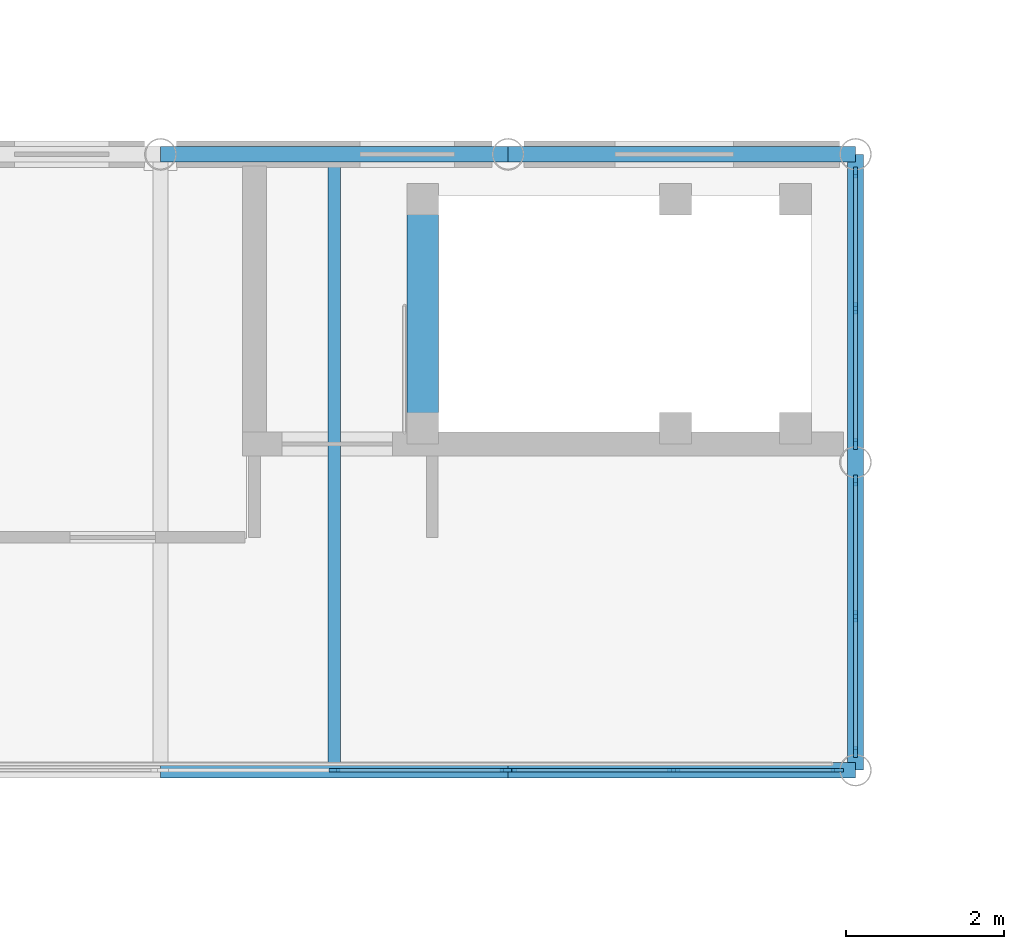
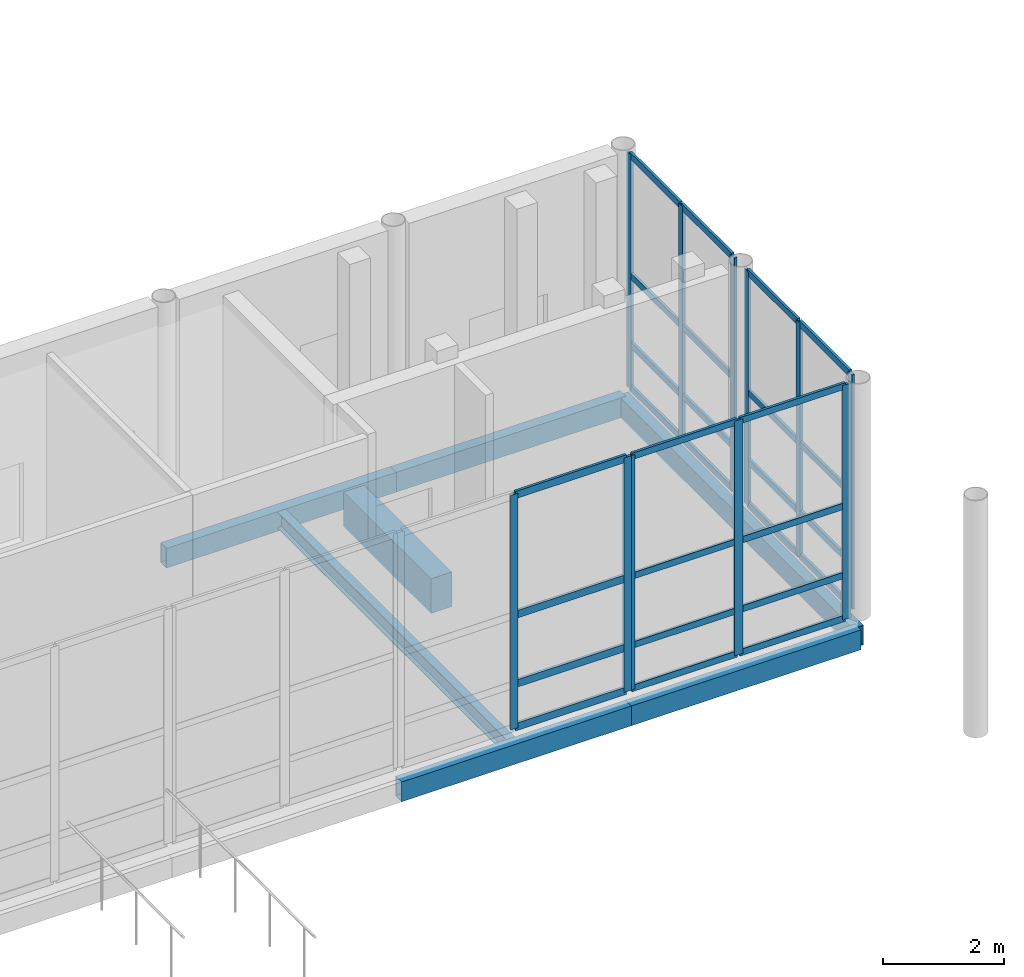
# One storey, part 51 of 138: 39 members, 7 beams, 4 elements without a shape of their own.
"""IFC4 building model written with IfcOpenShell, lengths in metres."""

from ifc_helpers import new_model, si_unit, direction, frame, origin, origin_2d, place, context, subcontext, project, spatial, rectangle, hollow_rectangle, i_section, extrude, material, layer, layer_set, material_profile, profile_set, type_object, element, aggregate, save


model = new_model("IFC4")

# Units and contexts
model_context = context("Model", 3, precision=1e-05, world=origin(), true_north=direction((0.0, 1.0)))
body_context = subcontext(model_context, "Body", "Model", "MODEL_VIEW")
ifc_project = project(units=[si_unit("LENGTHUNIT", "METRE"), si_unit("AREAUNIT", "SQUARE_METRE"), si_unit("VOLUMEUNIT", "CUBIC_METRE"), si_unit("PLANEANGLEUNIT", "RADIAN"), si_unit("MASSUNIT", "GRAM", prefix="KILO")], contexts=[model_context])

# Site, building, storey
site_placement = place(None, origin())
site = spatial("IfcSite", under=ifc_project, at=site_placement, CompositionType="ELEMENT")
building_placement = place(site_placement, origin())
building = spatial("IfcBuilding", under=site, at=building_placement, Name="Celorna Specialist Clinic", CompositionType="ELEMENT")
storey_placement = place(building_placement, frame((0.0, 0.0, 4.800048828125)))
storey = spatial("IfcBuildingStorey", under=building, at=storey_placement, Name="L01", CompositionType="ELEMENT", Elevation=4.800048828125)

# Beams
ifc_material_1 = material(Name="Steel S355", Category="steel")
ifc_material_profile_1 = material_profile(ifc_material_1, i_section(OverallWidth=0.159912109375, OverallDepth=0.330078125, WebThickness=0.007568359375, FlangeThickness=0.011474609375, at=origin_2d()), Name="IPE 330")
ifc_profile_set_1 = profile_set([ifc_material_profile_1], Name="Steel S355")
beam_type_1 = type_object("IfcBeamType", Name="BM-12", PredefinedType="JOIST", material=ifc_profile_set_1)
beam_1_placement = place(storey_placement, frame((96.39990234375, 70.2880859375, -0.425048828125), z_axis=(0.0, 1.0, 0.0), x_axis=(-1.0, 0.0, 0.0)))
element("IfcBeam", 1, at=beam_1_placement, inside=storey, type_object=beam_type_1, Name="Secondary floor joist BM-12 #229", PredefinedType="JOIST", context=body_context, shape_type="SweptSolid", body=[
    extrude(i_section(OverallWidth=0.159912109375, OverallDepth=0.330078125, WebThickness=0.007568359375, FlangeThickness=0.011474609375, at=origin_2d()), origin(), (0.0, 0.0, 1.0), 7.6240234375),
])
ifc_material_profile_2 = material_profile(ifc_material_1, hollow_rectangle(XDim=0.199951171875, YDim=0.39990234375, WallThickness=0.011962890625, at=origin_2d()), Name="RHS 200x400x12")
ifc_profile_set_2 = profile_set([ifc_material_profile_2], Name="Steel S355")
beam_type_2 = type_object("IfcBeamType", Name="BM-15", PredefinedType="SPANDREL", material=ifc_profile_set_2)
beam_2_placement = place(storey_placement, frame((94.199951171875, 70.199951171875, -0.4599609375), z_axis=(1.0, 0.0, 0.0), x_axis=(0.0, 1.0, 0.0)))
element("IfcBeam", 2, at=beam_2_placement, inside=storey, type_object=beam_type_2, Name="Spandrel beam BM-15 #199", PredefinedType="SPANDREL", context=body_context, shape_type="SweptSolid", body=[
    extrude(hollow_rectangle(XDim=0.199951171875, YDim=0.39990234375, WallThickness=0.011962890625, at=origin_2d()), origin(), (0.0, 0.0, 1.0), 4.400146484375),
])
beam_3_placement = place(storey_placement, frame((98.60009765625, 70.199951171875, -0.4599609375), z_axis=(1.0, 0.0, 0.0), x_axis=(0.0, 1.0, 0.0)))
element("IfcBeam", 3, at=beam_3_placement, inside=storey, type_object=beam_type_2, Name="Spandrel beam BM-15 #200", PredefinedType="SPANDREL", context=body_context, shape_type="SweptSolid", body=[
    extrude(hollow_rectangle(XDim=0.199951171875, YDim=0.39990234375, WallThickness=0.011962890625, at=origin_2d()), origin(), (0.0, 0.0, 1.0), 4.39990234375),
])
beam_4_placement = place(storey_placement, frame((94.199951171875, 78.0, -0.4599609375), z_axis=(1.0, 0.0, 0.0), x_axis=(0.0, 1.0, 0.0)))
element("IfcBeam", 4, at=beam_4_placement, inside=storey, type_object=beam_type_2, Name="Spandrel beam BM-15 #210", PredefinedType="SPANDREL", context=body_context, shape_type="SweptSolid", body=[
    extrude(hollow_rectangle(XDim=0.199951171875, YDim=0.39990234375, WallThickness=0.011962890625, at=origin_2d()), origin(), (0.0, 0.0, 1.0), 4.400146484375),
])
beam_5_placement = place(storey_placement, frame((98.60009765625, 78.0, -0.4599609375), z_axis=(1.0, 0.0, 0.0), x_axis=(0.0, 1.0, 0.0)))
element("IfcBeam", 5, at=beam_5_placement, inside=storey, type_object=beam_type_2, Name="Spandrel beam BM-15 #211", PredefinedType="SPANDREL", context=body_context, shape_type="SweptSolid", body=[
    extrude(hollow_rectangle(XDim=0.199951171875, YDim=0.39990234375, WallThickness=0.011962890625, at=origin_2d()), origin(), (0.0, 0.0, 1.0), 4.39990234375),
])
beam_6_placement = place(storey_placement, frame((103.0, 70.199951171875, -0.4599609375), z_axis=(0.0, 1.0, 0.0), x_axis=(-1.0, 0.0, 0.0)))
element("IfcBeam", 6, at=beam_6_placement, inside=storey, type_object=beam_type_2, Name="Spandrel beam BM-15 #221", PredefinedType="SPANDREL", context=body_context, shape_type="SweptSolid", body=[
    extrude(hollow_rectangle(XDim=0.199951171875, YDim=0.39990234375, WallThickness=0.011962890625, at=origin_2d()), origin(), (0.0, 0.0, 1.0), 7.800048828125),
])
ifc_material_2 = material(Name="Concrete C35/45", Category="concrete")
ifc_material_profile_3 = material_profile(ifc_material_2, rectangle(XDim=0.39990234375, YDim=0.699951171875, at=origin_2d()), Name="RC 400x700")
ifc_profile_set_3 = profile_set([ifc_material_profile_3], Name="Concrete C35/45")
beam_type_3 = type_object("IfcBeamType", Name="BM-19", PredefinedType="BEAM", material=ifc_profile_set_3)
beam_7_placement = place(storey_placement, frame((97.52001953125, 74.530029296875, -0.275146484375), z_axis=(0.0, 1.0, 0.0), x_axis=(-1.0, 0.0, 0.0)))
element("IfcBeam", 7, at=beam_7_placement, inside=storey, type_object=beam_type_3, Name="Stair ST-11 floor landing trimmer beam L01", PredefinedType="BEAM", context=body_context, shape_type="SweptSolid", body=[
    extrude(rectangle(XDim=0.39990234375, YDim=0.699951171875, at=origin_2d()), origin(), (0.0, 0.0, 1.0), 2.89990234375),
])

# Curtain wall, members
ifc_material_3 = material(Name="Thermally broken aluminium and solar-control glass curtain wall", Category="aluminium")
ifc_layer_1 = layer(ifc_material_3, 0.159912109375, Name="Thermally broken aluminium and solar-control glass curtain wall")
ifc_layer_set_1 = layer_set([ifc_layer_1], Name="Thermally broken aluminium and solar-control glass curtain wall")
curtain_wall_type_1 = type_object("IfcCurtainWallType", Name="CW-12", PredefinedType="NOTDEFINED", material=ifc_layer_set_1)
curtain_wall_1_placement = place(storey_placement, origin())
curtain_wall_1 = element("IfcCurtainWall", 8, at=curtain_wall_1_placement, inside=storey, type_object=curtain_wall_type_1, Name="Curtain wall CW-12 #36", PredefinedType="NOTDEFINED")
ifc_material_4 = material(Name="Anodized aluminium mullion", Category="aluminium")
ifc_material_profile_4 = material_profile(ifc_material_4, rectangle(XDim=0.050048828125, YDim=0.159912109375, at=origin_2d()), Name="ALU MULLION 50x160")
ifc_profile_set_4 = profile_set([ifc_material_profile_4], Name="Anodized aluminium mullion")
member_type_1 = type_object("IfcMemberType", Name="ML-01", PredefinedType="MULLION", material=ifc_profile_set_4)
member_1_placement = place(storey_placement, frame((102.767822265625, 70.199951171875, 0.0), z_axis=(0.0, 0.0, 1.0), x_axis=(0.0, -1.0, 0.0)))
member_1 = element("IfcMember", 9, at=member_1_placement, type_object=member_type_1, Name="CW-12 mullion 1", PredefinedType="MULLION", context=body_context, shape_type="SweptSolid", body=[
    extrude(rectangle(XDim=0.050048828125, YDim=0.159912109375, at=origin_2d()), origin(), (0.0, 0.0, 1.0), 4.75),
])
member_2_placement = place(storey_placement, frame((100.698486328125, 70.199951171875, 0.0), z_axis=(0.0, 0.0, 1.0), x_axis=(0.0, -1.0, 0.0)))
member_2 = element("IfcMember", 10, at=member_2_placement, type_object=member_type_1, Name="CW-12 mullion 2", PredefinedType="MULLION", context=body_context, shape_type="SweptSolid", body=[
    extrude(rectangle(XDim=0.050048828125, YDim=0.159912109375, at=origin_2d()), origin(), (0.0, 0.0, 1.0), 4.75),
])
member_3_placement = place(storey_placement, frame((98.62890625, 70.199951171875, 0.0), z_axis=(0.0, 0.0, 1.0), x_axis=(0.0, -1.0, 0.0)))
member_3 = element("IfcMember", 11, at=member_3_placement, type_object=member_type_1, Name="CW-12 mullion 3", PredefinedType="MULLION", context=body_context, shape_type="SweptSolid", body=[
    extrude(rectangle(XDim=0.050048828125, YDim=0.159912109375, at=origin_2d()), origin(), (0.0, 0.0, 1.0), 4.75),
])

ifc_layer_2 = layer(ifc_material_3, 0.159912109375, Name="Thermally broken aluminium and solar-control glass curtain wall")
ifc_layer_set_2 = layer_set([ifc_layer_2], Name="Thermally broken aluminium and solar-control glass curtain wall")
curtain_wall_type_2 = type_object("IfcCurtainWallType", Name="CW-11", PredefinedType="NOTDEFINED", material=ifc_layer_set_2)
curtain_wall_2_placement = place(storey_placement, origin())
curtain_wall_2 = element("IfcCurtainWall", 12, at=curtain_wall_2_placement, inside=storey, type_object=curtain_wall_type_2, Name="Curtain wall CW-11 #35", PredefinedType="NOTDEFINED")
ifc_material_profile_5 = material_profile(ifc_material_4, rectangle(XDim=0.050048828125, YDim=0.139892578125, at=origin_2d()), Name="ALU MULLION 50x140")
ifc_profile_set_5 = profile_set([ifc_material_profile_5], Name="Anodized aluminium mullion")
member_type_2 = type_object("IfcMemberType", Name="ML-03", PredefinedType="MULLION", material=ifc_profile_set_5)
member_4_placement = place(storey_placement, frame((98.571044921875, 70.199951171875, 0.0), z_axis=(0.0, 0.0, 1.0), x_axis=(0.0, -1.0, 0.0)))
member_4 = element("IfcMember", 13, at=member_4_placement, type_object=member_type_2, Name="CW-11 mullion 1", PredefinedType="MULLION", context=body_context, shape_type="SweptSolid", body=[
    extrude(rectangle(XDim=0.050048828125, YDim=0.139892578125, at=origin_2d()), origin(), (0.0, 0.0, 1.0), 4.75),
])
member_5_placement = place(storey_placement, frame((96.39990234375, 70.199951171875, 0.0), z_axis=(0.0, 0.0, 1.0), x_axis=(0.0, -1.0, 0.0)))
member_5 = element("IfcMember", 14, at=member_5_placement, type_object=member_type_2, Name="CW-11 mullion 2", PredefinedType="MULLION", context=body_context, shape_type="SweptSolid", body=[
    extrude(rectangle(XDim=0.050048828125, YDim=0.139892578125, at=origin_2d()), origin(), (0.0, 0.0, 1.0), 4.75),
])

ifc_layer_3 = layer(ifc_material_3, 0.159912109375, Name="Thermally broken aluminium and solar-control glass curtain wall")
ifc_layer_set_3 = layer_set([ifc_layer_3], Name="Thermally broken aluminium and solar-control glass curtain wall")
curtain_wall_type_3 = type_object("IfcCurtainWallType", Name="CW-13", PredefinedType="NOTDEFINED", material=ifc_layer_set_3)
curtain_wall_3_placement = place(storey_placement, origin())
curtain_wall_3 = element("IfcCurtainWall", 15, at=curtain_wall_3_placement, inside=storey, type_object=curtain_wall_type_3, Name="Curtain wall CW-13 #39", PredefinedType="NOTDEFINED")
member_6_placement = place(storey_placement, frame((103.0, 77.767822265625, 0.0), z_axis=(0.0, 0.0, 1.0), x_axis=(1.0, 0.0, 0.0)))
member_6 = element("IfcMember", 16, at=member_6_placement, type_object=member_type_2, Name="CW-13 mullion 1", PredefinedType="MULLION", context=body_context, shape_type="SweptSolid", body=[
    extrude(rectangle(XDim=0.050048828125, YDim=0.139892578125, at=origin_2d()), origin(), (0.0, 0.0, 1.0), 4.75),
])
member_7_placement = place(storey_placement, frame((103.0, 76.050048828125, 0.0), z_axis=(0.0, 0.0, 1.0), x_axis=(1.0, 0.0, 0.0)))
member_7 = element("IfcMember", 17, at=member_7_placement, type_object=member_type_2, Name="CW-13 mullion 2", PredefinedType="MULLION", context=body_context, shape_type="SweptSolid", body=[
    extrude(rectangle(XDim=0.050048828125, YDim=0.139892578125, at=origin_2d()), origin(), (0.0, 0.0, 1.0), 4.75),
])
member_8_placement = place(storey_placement, frame((103.0, 74.332275390625, 0.0), z_axis=(0.0, 0.0, 1.0), x_axis=(1.0, 0.0, 0.0)))
member_8 = element("IfcMember", 18, at=member_8_placement, type_object=member_type_2, Name="CW-13 mullion 3", PredefinedType="MULLION", context=body_context, shape_type="SweptSolid", body=[
    extrude(rectangle(XDim=0.050048828125, YDim=0.139892578125, at=origin_2d()), origin(), (0.0, 0.0, 1.0), 4.75),
])

curtain_wall_4_placement = place(storey_placement, origin())
curtain_wall_4 = element("IfcCurtainWall", 19, at=curtain_wall_4_placement, inside=storey, type_object=curtain_wall_type_3, Name="Curtain wall CW-13 #40", PredefinedType="NOTDEFINED")
member_9_placement = place(storey_placement, frame((103.0, 73.867919921875, 0.0), z_axis=(0.0, 0.0, 1.0), x_axis=(1.0, 0.0, 0.0)))
member_9 = element("IfcMember", 20, at=member_9_placement, type_object=member_type_2, Name="CW-13 mullion 1", PredefinedType="MULLION", context=body_context, shape_type="SweptSolid", body=[
    extrude(rectangle(XDim=0.050048828125, YDim=0.139892578125, at=origin_2d()), origin(), (0.0, 0.0, 1.0), 4.75),
])
member_10_placement = place(storey_placement, frame((103.0, 72.14990234375, 0.0), z_axis=(0.0, 0.0, 1.0), x_axis=(1.0, 0.0, 0.0)))
member_10 = element("IfcMember", 21, at=member_10_placement, type_object=member_type_2, Name="CW-13 mullion 2", PredefinedType="MULLION", context=body_context, shape_type="SweptSolid", body=[
    extrude(rectangle(XDim=0.050048828125, YDim=0.139892578125, at=origin_2d()), origin(), (0.0, 0.0, 1.0), 4.75),
])
member_11_placement = place(storey_placement, frame((103.0, 70.43212890625, 0.0), z_axis=(0.0, 0.0, 1.0), x_axis=(1.0, 0.0, 0.0)))
member_11 = element("IfcMember", 22, at=member_11_placement, type_object=member_type_2, Name="CW-13 mullion 3", PredefinedType="MULLION", context=body_context, shape_type="SweptSolid", body=[
    extrude(rectangle(XDim=0.050048828125, YDim=0.139892578125, at=origin_2d()), origin(), (0.0, 0.0, 1.0), 4.75),
])

# Member
ifc_material_5 = material(Name="Anodized aluminium transom", Category="aluminium")
ifc_material_profile_6 = material_profile(ifc_material_5, rectangle(XDim=0.050048828125, YDim=0.1298828125, at=origin_2d()), Name="ALU TRANSOM 50x130")
ifc_profile_set_6 = profile_set([ifc_material_profile_6], Name="Anodized aluminium transom")
member_type_3 = type_object("IfcMemberType", Name="TR-01", PredefinedType="USERDEFINED", material=ifc_profile_set_6)
member_12_placement = place(storey_placement, frame((102.742919921875, 70.199951171875, 0.02490234375), z_axis=(-1.0, 0.0, 0.0), x_axis=(0.0, -1.0, 0.0)))
member_12 = element("IfcMember", 23, at=member_12_placement, type_object=member_type_3, Name="CW-12 transom 1.1", ObjectType="TRANSOM", PredefinedType="USERDEFINED", context=body_context, shape_type="SweptSolid", body=[
    extrude(rectangle(XDim=0.050048828125, YDim=0.1298828125, at=origin_2d()), origin(), (0.0, 0.0, 1.0), 2.01953125),
])

member_13_placement = place(storey_placement, frame((102.742919921875, 70.199951171875, 0.89990234375), z_axis=(-1.0, 0.0, 0.0), x_axis=(0.0, -1.0, 0.0)))
member_13 = element("IfcMember", 24, at=member_13_placement, type_object=member_type_3, Name="CW-12 transom 1.2", ObjectType="TRANSOM", PredefinedType="USERDEFINED", context=body_context, shape_type="SweptSolid", body=[
    extrude(rectangle(XDim=0.050048828125, YDim=0.1298828125, at=origin_2d()), origin(), (0.0, 0.0, 1.0), 2.01953125),
])

member_14_placement = place(storey_placement, frame((102.742919921875, 70.199951171875, 2.300048828125), z_axis=(-1.0, 0.0, 0.0), x_axis=(0.0, -1.0, 0.0)))
member_14 = element("IfcMember", 25, at=member_14_placement, type_object=member_type_3, Name="CW-12 transom 1.3", ObjectType="TRANSOM", PredefinedType="USERDEFINED", context=body_context, shape_type="SweptSolid", body=[
    extrude(rectangle(XDim=0.050048828125, YDim=0.1298828125, at=origin_2d()), origin(), (0.0, 0.0, 1.0), 2.01953125),
])

member_15_placement = place(storey_placement, frame((102.742919921875, 70.199951171875, 4.724853515625), z_axis=(-1.0, 0.0, 0.0), x_axis=(0.0, -1.0, 0.0)))
member_15 = element("IfcMember", 26, at=member_15_placement, type_object=member_type_3, Name="CW-12 transom 1.4", ObjectType="TRANSOM", PredefinedType="USERDEFINED", context=body_context, shape_type="SweptSolid", body=[
    extrude(rectangle(XDim=0.050048828125, YDim=0.1298828125, at=origin_2d()), origin(), (0.0, 0.0, 1.0), 2.01953125),
])

member_16_placement = place(storey_placement, frame((100.67333984375, 70.199951171875, 0.02490234375), z_axis=(-1.0, 0.0, 0.0), x_axis=(0.0, -1.0, 0.0)))
member_16 = element("IfcMember", 27, at=member_16_placement, type_object=member_type_3, Name="CW-12 transom 2.1", ObjectType="TRANSOM", PredefinedType="USERDEFINED", context=body_context, shape_type="SweptSolid", body=[
    extrude(rectangle(XDim=0.050048828125, YDim=0.1298828125, at=origin_2d()), origin(), (0.0, 0.0, 1.0), 2.019287109375),
])

member_17_placement = place(storey_placement, frame((100.67333984375, 70.199951171875, 0.89990234375), z_axis=(-1.0, 0.0, 0.0), x_axis=(0.0, -1.0, 0.0)))
member_17 = element("IfcMember", 28, at=member_17_placement, type_object=member_type_3, Name="CW-12 transom 2.2", ObjectType="TRANSOM", PredefinedType="USERDEFINED", context=body_context, shape_type="SweptSolid", body=[
    extrude(rectangle(XDim=0.050048828125, YDim=0.1298828125, at=origin_2d()), origin(), (0.0, 0.0, 1.0), 2.019287109375),
])

member_18_placement = place(storey_placement, frame((100.67333984375, 70.199951171875, 2.300048828125), z_axis=(-1.0, 0.0, 0.0), x_axis=(0.0, -1.0, 0.0)))
member_18 = element("IfcMember", 29, at=member_18_placement, type_object=member_type_3, Name="CW-12 transom 2.3", ObjectType="TRANSOM", PredefinedType="USERDEFINED", context=body_context, shape_type="SweptSolid", body=[
    extrude(rectangle(XDim=0.050048828125, YDim=0.1298828125, at=origin_2d()), origin(), (0.0, 0.0, 1.0), 2.019287109375),
])

member_19_placement = place(storey_placement, frame((100.67333984375, 70.199951171875, 4.724853515625), z_axis=(-1.0, 0.0, 0.0), x_axis=(0.0, -1.0, 0.0)))
member_19 = element("IfcMember", 30, at=member_19_placement, type_object=member_type_3, Name="CW-12 transom 2.4", ObjectType="TRANSOM", PredefinedType="USERDEFINED", context=body_context, shape_type="SweptSolid", body=[
    extrude(rectangle(XDim=0.050048828125, YDim=0.1298828125, at=origin_2d()), origin(), (0.0, 0.0, 1.0), 2.019287109375),
])

aggregate(curtain_wall_1, [member_1, member_2, member_3, member_12, member_13, member_14, member_15, member_16, member_17, member_18, member_19])

member_20_placement = place(storey_placement, frame((103.0, 77.742919921875, 0.02490234375), z_axis=(0.0, -1.0, 0.0), x_axis=(1.0, 0.0, 0.0)))
member_20 = element("IfcMember", 31, at=member_20_placement, type_object=member_type_3, Name="CW-13 transom 1.1", ObjectType="TRANSOM", PredefinedType="USERDEFINED", context=body_context, shape_type="SweptSolid", body=[
    extrude(rectangle(XDim=0.050048828125, YDim=0.1298828125, at=origin_2d()), origin(), (0.0, 0.0, 1.0), 1.66796875),
])

member_21_placement = place(storey_placement, frame((103.0, 77.742919921875, 0.89990234375), z_axis=(0.0, -1.0, 0.0), x_axis=(1.0, 0.0, 0.0)))
member_21 = element("IfcMember", 32, at=member_21_placement, type_object=member_type_3, Name="CW-13 transom 1.2", ObjectType="TRANSOM", PredefinedType="USERDEFINED", context=body_context, shape_type="SweptSolid", body=[
    extrude(rectangle(XDim=0.050048828125, YDim=0.1298828125, at=origin_2d()), origin(), (0.0, 0.0, 1.0), 1.66796875),
])

member_22_placement = place(storey_placement, frame((103.0, 77.742919921875, 2.300048828125), z_axis=(0.0, -1.0, 0.0), x_axis=(1.0, 0.0, 0.0)))
member_22 = element("IfcMember", 33, at=member_22_placement, type_object=member_type_3, Name="CW-13 transom 1.3", ObjectType="TRANSOM", PredefinedType="USERDEFINED", context=body_context, shape_type="SweptSolid", body=[
    extrude(rectangle(XDim=0.050048828125, YDim=0.1298828125, at=origin_2d()), origin(), (0.0, 0.0, 1.0), 1.66796875),
])

member_23_placement = place(storey_placement, frame((103.0, 77.742919921875, 4.724853515625), z_axis=(0.0, -1.0, 0.0), x_axis=(1.0, 0.0, 0.0)))
member_23 = element("IfcMember", 34, at=member_23_placement, type_object=member_type_3, Name="CW-13 transom 1.4", ObjectType="TRANSOM", PredefinedType="USERDEFINED", context=body_context, shape_type="SweptSolid", body=[
    extrude(rectangle(XDim=0.050048828125, YDim=0.1298828125, at=origin_2d()), origin(), (0.0, 0.0, 1.0), 1.66796875),
])

member_24_placement = place(storey_placement, frame((103.0, 76.02490234375, 0.02490234375), z_axis=(0.0, -1.0, 0.0), x_axis=(1.0, 0.0, 0.0)))
member_24 = element("IfcMember", 35, at=member_24_placement, type_object=member_type_3, Name="CW-13 transom 2.1", ObjectType="TRANSOM", PredefinedType="USERDEFINED", context=body_context, shape_type="SweptSolid", body=[
    extrude(rectangle(XDim=0.050048828125, YDim=0.1298828125, at=origin_2d()), origin(), (0.0, 0.0, 1.0), 1.667724609375),
])

member_25_placement = place(storey_placement, frame((103.0, 76.02490234375, 0.89990234375), z_axis=(0.0, -1.0, 0.0), x_axis=(1.0, 0.0, 0.0)))
member_25 = element("IfcMember", 36, at=member_25_placement, type_object=member_type_3, Name="CW-13 transom 2.2", ObjectType="TRANSOM", PredefinedType="USERDEFINED", context=body_context, shape_type="SweptSolid", body=[
    extrude(rectangle(XDim=0.050048828125, YDim=0.1298828125, at=origin_2d()), origin(), (0.0, 0.0, 1.0), 1.667724609375),
])

member_26_placement = place(storey_placement, frame((103.0, 76.02490234375, 2.300048828125), z_axis=(0.0, -1.0, 0.0), x_axis=(1.0, 0.0, 0.0)))
member_26 = element("IfcMember", 37, at=member_26_placement, type_object=member_type_3, Name="CW-13 transom 2.3", ObjectType="TRANSOM", PredefinedType="USERDEFINED", context=body_context, shape_type="SweptSolid", body=[
    extrude(rectangle(XDim=0.050048828125, YDim=0.1298828125, at=origin_2d()), origin(), (0.0, 0.0, 1.0), 1.667724609375),
])

member_27_placement = place(storey_placement, frame((103.0, 76.02490234375, 4.724853515625), z_axis=(0.0, -1.0, 0.0), x_axis=(1.0, 0.0, 0.0)))
member_27 = element("IfcMember", 38, at=member_27_placement, type_object=member_type_3, Name="CW-13 transom 2.4", ObjectType="TRANSOM", PredefinedType="USERDEFINED", context=body_context, shape_type="SweptSolid", body=[
    extrude(rectangle(XDim=0.050048828125, YDim=0.1298828125, at=origin_2d()), origin(), (0.0, 0.0, 1.0), 1.667724609375),
])

aggregate(curtain_wall_3, [member_6, member_7, member_8, member_20, member_21, member_22, member_23, member_24, member_25, member_26, member_27])

member_28_placement = place(storey_placement, frame((103.0, 73.8427734375, 0.02490234375), z_axis=(0.0, -1.0, 0.0), x_axis=(1.0, 0.0, 0.0)))
member_28 = element("IfcMember", 39, at=member_28_placement, type_object=member_type_3, Name="CW-13 transom 1.1", ObjectType="TRANSOM", PredefinedType="USERDEFINED", context=body_context, shape_type="SweptSolid", body=[
    extrude(rectangle(XDim=0.050048828125, YDim=0.1298828125, at=origin_2d()), origin(), (0.0, 0.0, 1.0), 1.667724609375),
])

member_29_placement = place(storey_placement, frame((103.0, 73.8427734375, 0.89990234375), z_axis=(0.0, -1.0, 0.0), x_axis=(1.0, 0.0, 0.0)))
member_29 = element("IfcMember", 40, at=member_29_placement, type_object=member_type_3, Name="CW-13 transom 1.2", ObjectType="TRANSOM", PredefinedType="USERDEFINED", context=body_context, shape_type="SweptSolid", body=[
    extrude(rectangle(XDim=0.050048828125, YDim=0.1298828125, at=origin_2d()), origin(), (0.0, 0.0, 1.0), 1.667724609375),
])

member_30_placement = place(storey_placement, frame((103.0, 73.8427734375, 2.300048828125), z_axis=(0.0, -1.0, 0.0), x_axis=(1.0, 0.0, 0.0)))
member_30 = element("IfcMember", 41, at=member_30_placement, type_object=member_type_3, Name="CW-13 transom 1.3", ObjectType="TRANSOM", PredefinedType="USERDEFINED", context=body_context, shape_type="SweptSolid", body=[
    extrude(rectangle(XDim=0.050048828125, YDim=0.1298828125, at=origin_2d()), origin(), (0.0, 0.0, 1.0), 1.667724609375),
])

member_31_placement = place(storey_placement, frame((103.0, 73.8427734375, 4.724853515625), z_axis=(0.0, -1.0, 0.0), x_axis=(1.0, 0.0, 0.0)))
member_31 = element("IfcMember", 42, at=member_31_placement, type_object=member_type_3, Name="CW-13 transom 1.4", ObjectType="TRANSOM", PredefinedType="USERDEFINED", context=body_context, shape_type="SweptSolid", body=[
    extrude(rectangle(XDim=0.050048828125, YDim=0.1298828125, at=origin_2d()), origin(), (0.0, 0.0, 1.0), 1.667724609375),
])

member_32_placement = place(storey_placement, frame((103.0, 72.125, 0.02490234375), z_axis=(0.0, -1.0, 0.0), x_axis=(1.0, 0.0, 0.0)))
member_32 = element("IfcMember", 43, at=member_32_placement, type_object=member_type_3, Name="CW-13 transom 2.1", ObjectType="TRANSOM", PredefinedType="USERDEFINED", context=body_context, shape_type="SweptSolid", body=[
    extrude(rectangle(XDim=0.050048828125, YDim=0.1298828125, at=origin_2d()), origin(), (0.0, 0.0, 1.0), 1.667724609375),
])

member_33_placement = place(storey_placement, frame((103.0, 72.125, 0.89990234375), z_axis=(0.0, -1.0, 0.0), x_axis=(1.0, 0.0, 0.0)))
member_33 = element("IfcMember", 44, at=member_33_placement, type_object=member_type_3, Name="CW-13 transom 2.2", ObjectType="TRANSOM", PredefinedType="USERDEFINED", context=body_context, shape_type="SweptSolid", body=[
    extrude(rectangle(XDim=0.050048828125, YDim=0.1298828125, at=origin_2d()), origin(), (0.0, 0.0, 1.0), 1.667724609375),
])

member_34_placement = place(storey_placement, frame((103.0, 72.125, 2.300048828125), z_axis=(0.0, -1.0, 0.0), x_axis=(1.0, 0.0, 0.0)))
member_34 = element("IfcMember", 45, at=member_34_placement, type_object=member_type_3, Name="CW-13 transom 2.3", ObjectType="TRANSOM", PredefinedType="USERDEFINED", context=body_context, shape_type="SweptSolid", body=[
    extrude(rectangle(XDim=0.050048828125, YDim=0.1298828125, at=origin_2d()), origin(), (0.0, 0.0, 1.0), 1.667724609375),
])

member_35_placement = place(storey_placement, frame((103.0, 72.125, 4.724853515625), z_axis=(0.0, -1.0, 0.0), x_axis=(1.0, 0.0, 0.0)))
member_35 = element("IfcMember", 46, at=member_35_placement, type_object=member_type_3, Name="CW-13 transom 2.4", ObjectType="TRANSOM", PredefinedType="USERDEFINED", context=body_context, shape_type="SweptSolid", body=[
    extrude(rectangle(XDim=0.050048828125, YDim=0.1298828125, at=origin_2d()), origin(), (0.0, 0.0, 1.0), 1.667724609375),
])

aggregate(curtain_wall_4, [member_9, member_10, member_11, member_28, member_29, member_30, member_31, member_32, member_33, member_34, member_35])

ifc_material_profile_7 = material_profile(ifc_material_5, rectangle(XDim=0.050048828125, YDim=0.14990234375, at=origin_2d()), Name="ALU TRANSOM 50x150")
ifc_profile_set_7 = profile_set([ifc_material_profile_7], Name="Anodized aluminium transom")
member_type_4 = type_object("IfcMemberType", Name="TR-02", PredefinedType="USERDEFINED", material=ifc_profile_set_7)
member_36_placement = place(storey_placement, frame((98.5458984375, 70.199951171875, 0.02490234375), z_axis=(-1.0, 0.0, 0.0), x_axis=(0.0, -1.0, 0.0)))
member_36 = element("IfcMember", 47, at=member_36_placement, type_object=member_type_4, Name="CW-11 transom 1.1", ObjectType="TRANSOM", PredefinedType="USERDEFINED", context=body_context, shape_type="SweptSolid", body=[
    extrude(rectangle(XDim=0.050048828125, YDim=0.14990234375, at=origin_2d()), origin(), (0.0, 0.0, 1.0), 2.120849609375),
])

member_37_placement = place(storey_placement, frame((98.5458984375, 70.199951171875, 0.89990234375), z_axis=(-1.0, 0.0, 0.0), x_axis=(0.0, -1.0, 0.0)))
member_37 = element("IfcMember", 48, at=member_37_placement, type_object=member_type_4, Name="CW-11 transom 1.2", ObjectType="TRANSOM", PredefinedType="USERDEFINED", context=body_context, shape_type="SweptSolid", body=[
    extrude(rectangle(XDim=0.050048828125, YDim=0.14990234375, at=origin_2d()), origin(), (0.0, 0.0, 1.0), 2.120849609375),
])

member_38_placement = place(storey_placement, frame((98.5458984375, 70.199951171875, 2.300048828125), z_axis=(-1.0, 0.0, 0.0), x_axis=(0.0, -1.0, 0.0)))
member_38 = element("IfcMember", 49, at=member_38_placement, type_object=member_type_4, Name="CW-11 transom 1.3", ObjectType="TRANSOM", PredefinedType="USERDEFINED", context=body_context, shape_type="SweptSolid", body=[
    extrude(rectangle(XDim=0.050048828125, YDim=0.14990234375, at=origin_2d()), origin(), (0.0, 0.0, 1.0), 2.120849609375),
])

member_39_placement = place(storey_placement, frame((98.5458984375, 70.199951171875, 4.724853515625), z_axis=(-1.0, 0.0, 0.0), x_axis=(0.0, -1.0, 0.0)))
member_39 = element("IfcMember", 50, at=member_39_placement, type_object=member_type_4, Name="CW-11 transom 1.4", ObjectType="TRANSOM", PredefinedType="USERDEFINED", context=body_context, shape_type="SweptSolid", body=[
    extrude(rectangle(XDim=0.050048828125, YDim=0.14990234375, at=origin_2d()), origin(), (0.0, 0.0, 1.0), 2.120849609375),
])

aggregate(curtain_wall_2, [member_4, member_5, member_36, member_37, member_38, member_39])

save(model, "model.ifc")
